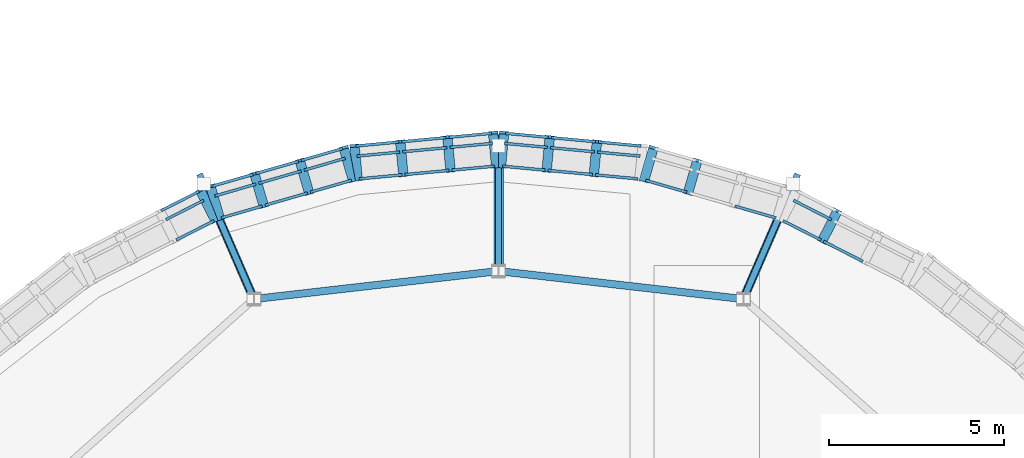
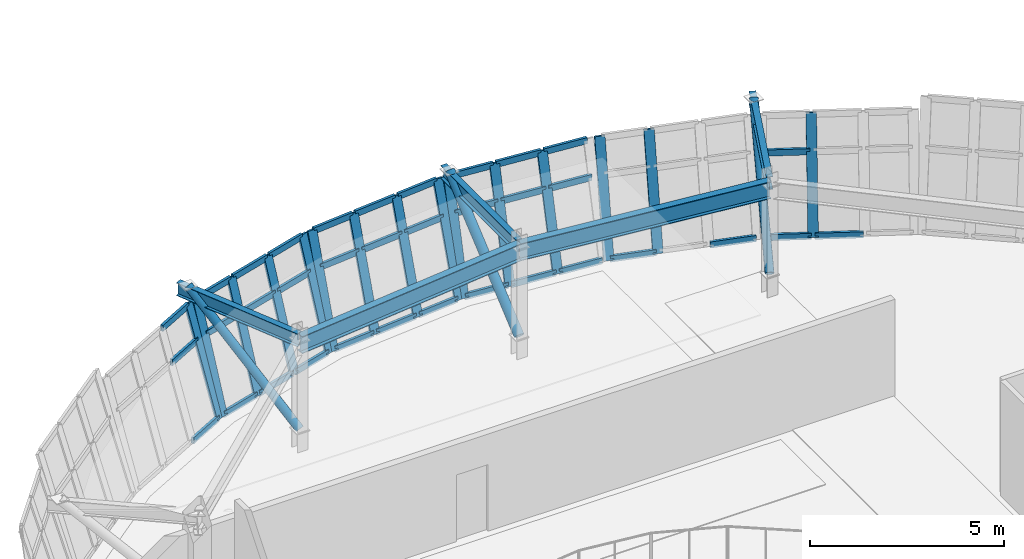
# One storey, part 25 of 111: 53 members, 5 beams, 6 elements without a shape of their own.
"""IFC4 building model written with IfcOpenShell, lengths in metres."""

from ifc_helpers import new_model, si_unit, direction, frame, origin, origin_2d, place, context, subcontext, project, spatial, rectangle, hollow_circle, i_section, extrude, material, material_profile, profile_set, type_object, element, aggregate, save


model = new_model("IFC4")

# Units and contexts
model_context = context("Model", 3, precision=1e-05, world=origin(), true_north=direction((0.0, 1.0)))
body_context = subcontext(model_context, "Body", "Model", "MODEL_VIEW")
ifc_project = project(units=[si_unit("LENGTHUNIT", "METRE"), si_unit("AREAUNIT", "SQUARE_METRE"), si_unit("VOLUMEUNIT", "CUBIC_METRE"), si_unit("PLANEANGLEUNIT", "RADIAN"), si_unit("MASSUNIT", "GRAM", prefix="KILO")], contexts=[model_context])

# Site, building, storey
site_placement = place(None, origin())
site = spatial("IfcSite", under=ifc_project, at=site_placement, CompositionType="ELEMENT")
building_placement = place(site_placement, origin())
building = spatial("IfcBuilding", under=site, at=building_placement, Name="Corveleigh Park Community Centre", CompositionType="ELEMENT")
storey_placement = place(building_placement, frame((0.0, 0.0, 4.800048828125)))
storey = spatial("IfcBuildingStorey", under=building, at=storey_placement, Name="L01", CompositionType="ELEMENT", Elevation=4.800048828125)

# Beams
ifc_material_1 = material(Name="Steel S355", Category="steel")
ifc_material_profile_1 = material_profile(ifc_material_1, i_section(OverallWidth=0.1787109375, OverallDepth=0.409423828125, WebThickness=0.0087890625, FlangeThickness=0.014404296875, at=origin_2d()), Name="UKB 406x178x67", Category="steel")
ifc_profile_set_1 = profile_set([ifc_material_profile_1], Name="Steel S355")
beam_type_1 = type_object("IfcBeamType", Name="BM-STL-UKB406x67", PredefinedType="BEAM", material=ifc_profile_set_1)
beam_1_placement = place(storey_placement, frame((38.00390625, 43.80908203125, 3.482177734375), z_axis=(0.398255557159, 0.917274501549, 0.0), x_axis=(-0.917274501549, 0.398255557159, 0.0)))
element("IfcBeam", 1, at=beam_1_placement, inside=storey, type_object=beam_type_1, Name="V1 Drum Overhang Radial Outrigger 11", PredefinedType="BEAM", context=body_context, shape_type="SweptSolid", body=[
    extrude(i_section(OverallWidth=0.1787109375, OverallDepth=0.409423828125, WebThickness=0.0087890625, FlangeThickness=0.014404296875, at=origin_2d()), origin(), (0.0, 0.0, 1.0), 3.8896484375),
])
beam_2_placement = place(storey_placement, frame((31.0, 44.610107421875, 3.482177734375), z_axis=(0.0, 1.0, 0.0), x_axis=(-1.0, 0.0, 0.0)))
element("IfcBeam", 2, at=beam_2_placement, inside=storey, type_object=beam_type_1, Name="V1 Drum Overhang Radial Outrigger 12", PredefinedType="BEAM", context=body_context, shape_type="SweptSolid", body=[
    extrude(i_section(OverallWidth=0.1787109375, OverallDepth=0.409423828125, WebThickness=0.0087890625, FlangeThickness=0.014404296875, at=origin_2d()), origin(), (0.0, 0.0, 1.0), 3.889892578125),
])
beam_3_placement = place(storey_placement, frame((23.99609375, 43.80908203125, 3.482177734375), z_axis=(-0.398255557159, 0.917274501549, 0.0), x_axis=(-0.917274501549, -0.398255557159, 0.0)))
element("IfcBeam", 3, at=beam_3_placement, inside=storey, type_object=beam_type_1, Name="V1 Drum Overhang Radial Outrigger 13", PredefinedType="BEAM", context=body_context, shape_type="SweptSolid", body=[
    extrude(i_section(OverallWidth=0.1787109375, OverallDepth=0.409423828125, WebThickness=0.0087890625, FlangeThickness=0.014404296875, at=origin_2d()), origin(), (0.0, 0.0, 1.0), 3.8896484375),
])
ifc_material_profile_2 = material_profile(ifc_material_1, i_section(OverallWidth=0.210693359375, OverallDepth=0.53955078125, WebThickness=0.01171875, FlangeThickness=0.018798828125, at=origin_2d()), Name="UKB 533x210x109", Category="steel")
ifc_profile_set_2 = profile_set([ifc_material_profile_2], Name="Steel S355")
beam_type_2 = type_object("IfcBeamType", Name="BM-STL-UKB533x109", PredefinedType="BEAM", material=ifc_profile_set_2)
for number, where, z_axis, x_axis, name in (
    (4, (37.9951171875, 43.800537109375, 3.34228515625), (-0.993533567391, 0.113538761962, 0.0), (-0.113538761962, -0.993533567391, 0.0), "V1 Drum Ring Girder"),
    (5, (30.9951171875, 44.599365234375, 3.34228515625), (-0.993533567391, -0.113538761962, 0.0), (0.113538761962, -0.993533567391, 0.0), "V1 Drum Ring Girder"),
):
    element("IfcBeam", number, at=place(storey_placement, frame(where, z_axis=z_axis, x_axis=x_axis)), inside=storey, type_object=beam_type_2, Name=name, PredefinedType="BEAM", context=body_context, shape_type="SweptSolid", body=[
        extrude(i_section(OverallWidth=0.210693359375, OverallDepth=0.53955078125, WebThickness=0.01171875, FlangeThickness=0.018798828125, at=origin_2d()), origin(), (0.0, 0.0, 1.0), 7.03564453125),
    ])

# Curtain wall, member
ifc_material_2 = material(Name="Anodised aluminium 6063-T6", Category="aluminium")
curtain_wall_type = type_object("IfcCurtainWallType", Name="CW-SYS-V1-DRUM", PredefinedType="NOTDEFINED", material=ifc_material_2)
curtain_wall_1_placement = place(storey_placement, origin())
curtain_wall_1 = element("IfcCurtainWall", 6, at=curtain_wall_1_placement, inside=storey, type_object=curtain_wall_type, Name="Main Hall Flared Drum CW 167", PredefinedType="NOTDEFINED")
ifc_material_profile_3 = material_profile(ifc_material_2, rectangle(XDim=0.0849609375, YDim=0.27490234375, at=origin_2d()), Name="ALU-M85x275", Category="aluminium")
ifc_profile_set_3 = profile_set([ifc_material_profile_3], Name="Anodised aluminium 6063-T6")
member_type_1 = type_object("IfcMemberType", Name="CWM-85x275", PredefinedType="MULLION", material=ifc_profile_set_3)
member_1_placement = place(storey_placement, frame((40.253662109375, 45.4580078125, 0.0), z_axis=(0.128879526709, 0.252956534902, 0.958855077186), x_axis=(-0.435288932885, -0.854357421664, 0.283896003766)))
member_1 = element("IfcMember", 7, at=member_1_placement, type_object=member_type_1, Name="CW02 mullion 3", PredefinedType="MULLION", context=body_context, shape_type="SweptSolid", body=[
    extrude(rectangle(XDim=0.0849609375, YDim=0.27490234375, at=origin_2d()), origin(), (0.0, 0.0, 1.0), 3.406005859375),
])

# Curtain wall, members
curtain_wall_2_placement = place(storey_placement, origin())
curtain_wall_2 = element("IfcCurtainWall", 8, at=curtain_wall_2_placement, inside=storey, type_object=curtain_wall_type, Name="Main Hall Flared Drum CW 168", PredefinedType="NOTDEFINED")
member_2_placement = place(storey_placement, frame((36.41796875, 46.834228515625, 0.0), z_axis=(0.078774265043, 0.272806963379, 0.958838347115), x_axis=(-0.266001479913, -0.921202577386, 0.283952503249)))
member_2 = element("IfcMember", 9, at=member_2_placement, type_object=member_type_1, Name="CW02 mullion 3", PredefinedType="MULLION", context=body_context, shape_type="SweptSolid", body=[
    extrude(rectangle(XDim=0.0849609375, YDim=0.27490234375, at=origin_2d()), origin(), (0.0, 0.0, 1.0), 3.406005859375),
])
member_3_placement = place(storey_placement, frame((35.161865234375, 47.197265625, 0.0), z_axis=(0.078775805261, 0.27274061785, 0.958857094608), x_axis=(-0.266071208259, -0.92120195398, 0.283889189861)))
member_3 = element("IfcMember", 10, at=member_3_placement, type_object=member_type_1, Name="CW02 mullion 4", PredefinedType="MULLION", context=body_context, shape_type="SweptSolid", body=[
    extrude(rectangle(XDim=0.0849609375, YDim=0.27490234375, at=origin_2d()), origin(), (0.0, 0.0, 1.0), 3.406005859375),
])

curtain_wall_3_placement = place(storey_placement, origin())
curtain_wall_3 = element("IfcCurtainWall", 11, at=curtain_wall_3_placement, inside=storey, type_object=curtain_wall_type, Name="Main Hall Flared Drum CW 169", PredefinedType="NOTDEFINED")
member_4_placement = place(storey_placement, frame((33.722900390625, 47.3447265625, 0.0), z_axis=(0.02659317018, 0.282633072825, 0.958859400249), x_axis=(-0.089823112769, -0.954642947838, 0.28388140227)))
member_4 = element("IfcMember", 12, at=member_4_placement, type_object=member_type_1, Name="CW02 mullion 2", PredefinedType="MULLION", context=body_context, shape_type="SweptSolid", body=[
    extrude(rectangle(XDim=0.0849609375, YDim=0.27490234375, at=origin_2d()), origin(), (0.0, 0.0, 1.0), 3.406005859375),
])
member_5_placement = place(storey_placement, frame((32.3740234375, 47.471435546875, 0.0), z_axis=(0.026521540963, 0.282633610853, 0.958861225559), x_axis=(-0.089583288595, -0.954667316025, 0.283875236889)))
member_5 = element("IfcMember", 13, at=member_5_placement, type_object=member_type_1, Name="CW02 mullion 3", PredefinedType="MULLION", context=body_context, shape_type="SweptSolid", body=[
    extrude(rectangle(XDim=0.0849609375, YDim=0.27490234375, at=origin_2d()), origin(), (0.0, 0.0, 1.0), 3.406005859375),
])
member_6_placement = place(storey_placement, frame((31.0673828125, 47.593994140625, 0.0), z_axis=(0.026521003607, 0.282699562777, 0.95884179799), x_axis=(-0.089558958365, -0.954650085921, 0.283940850226)))
member_6 = element("IfcMember", 14, at=member_6_placement, type_object=member_type_1, Name="CW02 mullion 4", PredefinedType="MULLION", context=body_context, shape_type="SweptSolid", body=[
    extrude(rectangle(XDim=0.0849609375, YDim=0.27490234375, at=origin_2d()), origin(), (0.0, 0.0, 1.0), 3.406005859375),
])

curtain_wall_4_placement = place(storey_placement, origin())
curtain_wall_4 = element("IfcCurtainWall", 15, at=curtain_wall_4_placement, inside=storey, type_object=curtain_wall_type, Name="Main Hall Flared Drum CW 170", PredefinedType="NOTDEFINED")
member_7_placement = place(storey_placement, frame((30.9326171875, 47.593994140625, 0.0), z_axis=(-0.026521003607, 0.282699562777, 0.95884179799), x_axis=(0.089558958365, -0.954650085921, 0.283940850226)))
member_7 = element("IfcMember", 16, at=member_7_placement, type_object=member_type_1, Name="CW02 mullion 1", PredefinedType="MULLION", context=body_context, shape_type="SweptSolid", body=[
    extrude(rectangle(XDim=0.0849609375, YDim=0.27490234375, at=origin_2d()), origin(), (0.0, 0.0, 1.0), 3.406005859375),
])
member_8_placement = place(storey_placement, frame((29.6259765625, 47.471435546875, 0.0), z_axis=(-0.026521540963, 0.282633610853, 0.958861225559), x_axis=(0.089583288595, -0.954667316025, 0.283875236889)))
member_8 = element("IfcMember", 17, at=member_8_placement, type_object=member_type_1, Name="CW02 mullion 2", PredefinedType="MULLION", context=body_context, shape_type="SweptSolid", body=[
    extrude(rectangle(XDim=0.0849609375, YDim=0.27490234375, at=origin_2d()), origin(), (0.0, 0.0, 1.0), 3.406005859375),
])
member_9_placement = place(storey_placement, frame((28.277099609375, 47.3447265625, 0.0), z_axis=(-0.02659317018, 0.282633072825, 0.958859400249), x_axis=(0.089823112769, -0.954642947838, 0.28388140227)))
member_9 = element("IfcMember", 18, at=member_9_placement, type_object=member_type_1, Name="CW02 mullion 3", PredefinedType="MULLION", context=body_context, shape_type="SweptSolid", body=[
    extrude(rectangle(XDim=0.0849609375, YDim=0.27490234375, at=origin_2d()), origin(), (0.0, 0.0, 1.0), 3.406005859375),
])
member_10_placement = place(storey_placement, frame((26.97021484375, 47.221923828125, 0.0), z_axis=(-0.026521003607, 0.282699562777, 0.95884179799), x_axis=(0.089558958365, -0.954650085921, 0.283940850226)))
member_10 = element("IfcMember", 19, at=member_10_placement, type_object=member_type_1, Name="CW02 mullion 4", PredefinedType="MULLION", context=body_context, shape_type="SweptSolid", body=[
    extrude(rectangle(XDim=0.0849609375, YDim=0.27490234375, at=origin_2d()), origin(), (0.0, 0.0, 1.0), 3.406005859375),
])

curtain_wall_5_placement = place(storey_placement, origin())
curtain_wall_5 = element("IfcCurtainWall", 20, at=curtain_wall_5_placement, inside=storey, type_object=curtain_wall_type, Name="Main Hall Flared Drum CW 171", PredefinedType="NOTDEFINED")
member_11_placement = place(storey_placement, frame((26.838134765625, 47.197265625, 0.0), z_axis=(-0.078775805261, 0.27274061785, 0.958857094608), x_axis=(0.266071208259, -0.92120195398, 0.283889189861)))
member_11 = element("IfcMember", 21, at=member_11_placement, type_object=member_type_1, Name="CW02 mullion 1", PredefinedType="MULLION", context=body_context, shape_type="SweptSolid", body=[
    extrude(rectangle(XDim=0.0849609375, YDim=0.27490234375, at=origin_2d()), origin(), (0.0, 0.0, 1.0), 3.406005859375),
])
member_12_placement = place(storey_placement, frame((25.58203125, 46.834228515625, 0.0), z_axis=(-0.078774265043, 0.272806963379, 0.958838347115), x_axis=(0.266001479913, -0.921202577386, 0.283952503249)))
member_12 = element("IfcMember", 22, at=member_12_placement, type_object=member_type_1, Name="CW02 mullion 2", PredefinedType="MULLION", context=body_context, shape_type="SweptSolid", body=[
    extrude(rectangle(XDim=0.0849609375, YDim=0.27490234375, at=origin_2d()), origin(), (0.0, 0.0, 1.0), 3.406005859375),
])
member_13_placement = place(storey_placement, frame((24.284912109375, 46.459716796875, 0.0), z_axis=(-0.078775805261, 0.27274061785, 0.958857094608), x_axis=(0.266071208259, -0.92120195398, 0.283889189861)))
member_13 = element("IfcMember", 23, at=member_13_placement, type_object=member_type_1, Name="CW02 mullion 3", PredefinedType="MULLION", context=body_context, shape_type="SweptSolid", body=[
    extrude(rectangle(XDim=0.0849609375, YDim=0.27490234375, at=origin_2d()), origin(), (0.0, 0.0, 1.0), 3.406005859375),
])
member_14_placement = place(storey_placement, frame((23.02880859375, 46.0966796875, 0.0), z_axis=(-0.078774265043, 0.272806963379, 0.958838347115), x_axis=(0.266001479913, -0.921202577386, 0.283952503249)))
member_14 = element("IfcMember", 24, at=member_14_placement, type_object=member_type_1, Name="CW02 mullion 4", PredefinedType="MULLION", context=body_context, shape_type="SweptSolid", body=[
    extrude(rectangle(XDim=0.0849609375, YDim=0.27490234375, at=origin_2d()), origin(), (0.0, 0.0, 1.0), 3.406005859375),
])

# Curtain wall, member
curtain_wall_6_placement = place(storey_placement, origin())
curtain_wall_6 = element("IfcCurtainWall", 25, at=curtain_wall_6_placement, inside=storey, type_object=curtain_wall_type, Name="Main Hall Flared Drum CW 172", PredefinedType="NOTDEFINED")
member_15_placement = place(storey_placement, frame((22.904052734375, 46.047607421875, 0.0), z_axis=(-0.128806701095, 0.25302596264, 0.958846544544), x_axis=(0.434994939137, -0.854497571037, 0.283924821065)))
member_15 = element("IfcMember", 26, at=member_15_placement, type_object=member_type_1, Name="CW02 mullion 1", PredefinedType="MULLION", context=body_context, shape_type="SweptSolid", body=[
    extrude(rectangle(XDim=0.0849609375, YDim=0.27490234375, at=origin_2d()), origin(), (0.0, 0.0, 1.0), 3.406005859375),
])

# Member
ifc_material_profile_4 = material_profile(ifc_material_2, rectangle(XDim=0.080078125, YDim=0.195068359375, at=origin_2d()), Name="ALU-T80x195", Category="aluminium")
ifc_profile_set_4 = profile_set([ifc_material_profile_4], Name="Anodised aluminium 6063-T6")
member_type_2 = type_object("IfcMemberType", Name="CWT-80x195", PredefinedType="USERDEFINED", material=ifc_profile_set_4)
member_16_placement = place(storey_placement, frame((41.416748046875, 44.87890625, 0.0400390625), z_axis=(-0.89110027264, 0.453806461061, 0.0), x_axis=(-0.453806461061, -0.89110027264, 0.0)))
member_16 = element("IfcMember", 27, at=member_16_placement, type_object=member_type_2, Name="CW02 transom 2.1", ObjectType="TRANSOM", PredefinedType="USERDEFINED", context=body_context, shape_type="SweptSolid", body=[
    extrude(rectangle(XDim=0.080078125, YDim=0.195068359375, at=origin_2d()), origin(), (0.0, 0.0, 1.0), 1.2568359375),
])

member_17_placement = place(storey_placement, frame((40.22119140625, 45.48779296875, 0.0400390625), z_axis=(-0.891024153867, 0.453955897886, 0.0), x_axis=(-0.453955897886, -0.891024153867, 0.0)))
member_17 = element("IfcMember", 28, at=member_17_placement, type_object=member_type_2, Name="CW02 transom 3.1", ObjectType="TRANSOM", PredefinedType="USERDEFINED", context=body_context, shape_type="SweptSolid", body=[
    extrude(rectangle(XDim=0.080078125, YDim=0.195068359375, at=origin_2d()), origin(), (0.0, 0.0, 1.0), 1.21435546875),
])

member_18_placement = place(storey_placement, frame((40.51806640625, 46.07080078125, 2.25), z_axis=(-0.891024153867, 0.453955897886, 0.0), x_axis=(-0.453955897886, -0.891024153867, 0.0)))
member_18 = element("IfcMember", 29, at=member_18_placement, type_object=member_type_2, Name="CW02 transom 3.2", ObjectType="TRANSOM", PredefinedType="USERDEFINED", context=body_context, shape_type="SweptSolid", body=[
    extrude(rectangle(XDim=0.080078125, YDim=0.195068359375, at=origin_2d()), origin(), (0.0, 0.0, 1.0), 1.21435546875),
])

aggregate(curtain_wall_1, [member_1, member_16, member_17, member_18])

member_19_placement = place(storey_placement, frame((38.93359375, 46.119873046875, 0.0400390625), z_axis=(-0.960705899943, 0.277568322786, 0.0), x_axis=(-0.277568322786, -0.960705899943, 0.0)))
member_19 = element("IfcMember", 30, at=member_19_placement, type_object=member_type_2, Name="CW02 transom 1.1", ObjectType="TRANSOM", PredefinedType="USERDEFINED", context=body_context, shape_type="SweptSolid", body=[
    extrude(rectangle(XDim=0.080078125, YDim=0.195068359375, at=origin_2d()), origin(), (0.0, 0.0, 1.0), 1.22265625),
])

member_20_placement = place(storey_placement, frame((36.38037109375, 46.857421875, 0.0400390625), z_axis=(-0.960690510607, 0.277621582067, 0.0), x_axis=(-0.277621582067, -0.960690510607, 0.0)))
member_20 = element("IfcMember", 31, at=member_20_placement, type_object=member_type_2, Name="CW02 transom 3.1", ObjectType="TRANSOM", PredefinedType="USERDEFINED", context=body_context, shape_type="SweptSolid", body=[
    extrude(rectangle(XDim=0.080078125, YDim=0.195068359375, at=origin_2d()), origin(), (0.0, 0.0, 1.0), 1.222412109375),
])

aggregate(curtain_wall_2, [member_2, member_3, member_19, member_20])

member_21_placement = place(storey_placement, frame((34.988525390625, 47.23779296875, 0.0400390625), z_axis=(-0.995621509716, 0.093476250413, 0.0), x_axis=(-0.093476250413, -0.995621509716, 0.0)))
member_21 = element("IfcMember", 32, at=member_21_placement, type_object=member_type_2, Name="CW02 transom 1.1", ObjectType="TRANSOM", PredefinedType="USERDEFINED", context=body_context, shape_type="SweptSolid", body=[
    extrude(rectangle(XDim=0.080078125, YDim=0.195068359375, at=origin_2d()), origin(), (0.0, 0.0, 1.0), 1.2275390625),
])

member_22_placement = place(storey_placement, frame((35.049560546875, 47.88916015625, 2.25), z_axis=(-0.995619771375, 0.093494763745, 0.0), x_axis=(-0.093494763745, -0.995619771375, 0.0)))
member_22 = element("IfcMember", 33, at=member_22_placement, type_object=member_type_2, Name="CW02 transom 1.2", ObjectType="TRANSOM", PredefinedType="USERDEFINED", context=body_context, shape_type="SweptSolid", body=[
    extrude(rectangle(XDim=0.080078125, YDim=0.195068359375, at=origin_2d()), origin(), (0.0, 0.0, 1.0), 1.227294921875),
])

member_23_placement = place(storey_placement, frame((35.07666015625, 48.177001953125, 3.225830078125), z_axis=(-0.995621509716, 0.093476250413, 0.0), x_axis=(-0.093476250413, -0.995621509716, 0.0)))
member_23 = element("IfcMember", 34, at=member_23_placement, type_object=member_type_2, Name="CW02 transom 1.3", ObjectType="TRANSOM", PredefinedType="USERDEFINED", context=body_context, shape_type="SweptSolid", body=[
    extrude(rectangle(XDim=0.080078125, YDim=0.195068359375, at=origin_2d()), origin(), (0.0, 0.0, 1.0), 1.2275390625),
])

member_24_placement = place(storey_placement, frame((33.681884765625, 47.3603515625, 0.0400390625), z_axis=(-0.995607946875, 0.093620596665, 0.0), x_axis=(-0.093620596665, -0.995607946875, 0.0)))
member_24 = element("IfcMember", 35, at=member_24_placement, type_object=member_type_2, Name="CW02 transom 2.1", ObjectType="TRANSOM", PredefinedType="USERDEFINED", context=body_context, shape_type="SweptSolid", body=[
    extrude(rectangle(XDim=0.080078125, YDim=0.195068359375, at=origin_2d()), origin(), (0.0, 0.0, 1.0), 1.27001953125),
])

member_25_placement = place(storey_placement, frame((33.742919921875, 48.011962890625, 2.25), z_axis=(-0.995625847483, 0.093430037049, 0.0), x_axis=(-0.093430037049, -0.995625847483, 0.0)))
member_25 = element("IfcMember", 36, at=member_25_placement, type_object=member_type_2, Name="CW02 transom 2.2", ObjectType="TRANSOM", PredefinedType="USERDEFINED", context=body_context, shape_type="SweptSolid", body=[
    extrude(rectangle(XDim=0.080078125, YDim=0.195068359375, at=origin_2d()), origin(), (0.0, 0.0, 1.0), 1.27001953125),
])

member_26_placement = place(storey_placement, frame((33.77001953125, 48.299560546875, 3.225830078125), z_axis=(-0.995625847483, 0.093430037049, 0.0), x_axis=(-0.093430037049, -0.995625847483, 0.0)))
member_26 = element("IfcMember", 37, at=member_26_placement, type_object=member_type_2, Name="CW02 transom 2.3", ObjectType="TRANSOM", PredefinedType="USERDEFINED", context=body_context, shape_type="SweptSolid", body=[
    extrude(rectangle(XDim=0.080078125, YDim=0.195068359375, at=origin_2d()), origin(), (0.0, 0.0, 1.0), 1.27001953125),
])

member_27_placement = place(storey_placement, frame((32.332763671875, 47.487060546875, 0.0400390625), z_axis=(-0.995619771375, 0.093494763745, 0.0), x_axis=(-0.093494763745, -0.995619771375, 0.0)))
member_27 = element("IfcMember", 38, at=member_27_placement, type_object=member_type_2, Name="CW02 transom 3.1", ObjectType="TRANSOM", PredefinedType="USERDEFINED", context=body_context, shape_type="SweptSolid", body=[
    extrude(rectangle(XDim=0.080078125, YDim=0.195068359375, at=origin_2d()), origin(), (0.0, 0.0, 1.0), 1.227294921875),
])

member_28_placement = place(storey_placement, frame((32.39404296875, 48.138671875, 2.25), z_axis=(-0.995621509716, 0.093476250413, 0.0), x_axis=(-0.093476250413, -0.995621509716, 0.0)))
member_28 = element("IfcMember", 39, at=member_28_placement, type_object=member_type_2, Name="CW02 transom 3.2", ObjectType="TRANSOM", PredefinedType="USERDEFINED", context=body_context, shape_type="SweptSolid", body=[
    extrude(rectangle(XDim=0.080078125, YDim=0.195068359375, at=origin_2d()), origin(), (0.0, 0.0, 1.0), 1.2275390625),
])

member_29_placement = place(storey_placement, frame((32.4208984375, 48.42626953125, 3.225830078125), z_axis=(-0.995619771375, 0.093494763745, 0.0), x_axis=(-0.093494763745, -0.995619771375, 0.0)))
member_29 = element("IfcMember", 40, at=member_29_placement, type_object=member_type_2, Name="CW02 transom 3.3", ObjectType="TRANSOM", PredefinedType="USERDEFINED", context=body_context, shape_type="SweptSolid", body=[
    extrude(rectangle(XDim=0.080078125, YDim=0.195068359375, at=origin_2d()), origin(), (0.0, 0.0, 1.0), 1.227294921875),
])

aggregate(curtain_wall_3, [member_4, member_5, member_6, member_21, member_22, member_23, member_24, member_25, member_26, member_27, member_28, member_29])

member_30_placement = place(storey_placement, frame((30.88916015625, 47.601806640625, 0.0400390625), z_axis=(-0.995619771375, -0.093494763745, 0.0), x_axis=(0.093494763745, -0.995619771375, 0.0)))
member_30 = element("IfcMember", 41, at=member_30_placement, type_object=member_type_2, Name="CW02 transom 1.1", ObjectType="TRANSOM", PredefinedType="USERDEFINED", context=body_context, shape_type="SweptSolid", body=[
    extrude(rectangle(XDim=0.080078125, YDim=0.195068359375, at=origin_2d()), origin(), (0.0, 0.0, 1.0), 1.227294921875),
])

member_31_placement = place(storey_placement, frame((30.828125, 48.25341796875, 2.25), z_axis=(-0.995621509716, -0.093476250413, 0.0), x_axis=(0.093476250413, -0.995621509716, 0.0)))
member_31 = element("IfcMember", 42, at=member_31_placement, type_object=member_type_2, Name="CW02 transom 1.2", ObjectType="TRANSOM", PredefinedType="USERDEFINED", context=body_context, shape_type="SweptSolid", body=[
    extrude(rectangle(XDim=0.080078125, YDim=0.195068359375, at=origin_2d()), origin(), (0.0, 0.0, 1.0), 1.2275390625),
])

member_32_placement = place(storey_placement, frame((30.801025390625, 48.541015625, 3.225830078125), z_axis=(-0.995619771375, -0.093494763745, 0.0), x_axis=(0.093494763745, -0.995619771375, 0.0)))
member_32 = element("IfcMember", 43, at=member_32_placement, type_object=member_type_2, Name="CW02 transom 1.3", ObjectType="TRANSOM", PredefinedType="USERDEFINED", context=body_context, shape_type="SweptSolid", body=[
    extrude(rectangle(XDim=0.080078125, YDim=0.195068359375, at=origin_2d()), origin(), (0.0, 0.0, 1.0), 1.227294921875),
])

member_33_placement = place(storey_placement, frame((29.58251953125, 47.479248046875, 0.0400390625), z_axis=(-0.995607946875, -0.093620596665, 0.0), x_axis=(0.093620596665, -0.995607946875, 0.0)))
member_33 = element("IfcMember", 44, at=member_33_placement, type_object=member_type_2, Name="CW02 transom 2.1", ObjectType="TRANSOM", PredefinedType="USERDEFINED", context=body_context, shape_type="SweptSolid", body=[
    extrude(rectangle(XDim=0.080078125, YDim=0.195068359375, at=origin_2d()), origin(), (0.0, 0.0, 1.0), 1.27001953125),
])

member_34_placement = place(storey_placement, frame((29.521484375, 48.130615234375, 2.25), z_axis=(-0.995625847483, -0.093430037049, 0.0), x_axis=(0.093430037049, -0.995625847483, 0.0)))
member_34 = element("IfcMember", 45, at=member_34_placement, type_object=member_type_2, Name="CW02 transom 2.2", ObjectType="TRANSOM", PredefinedType="USERDEFINED", context=body_context, shape_type="SweptSolid", body=[
    extrude(rectangle(XDim=0.080078125, YDim=0.195068359375, at=origin_2d()), origin(), (0.0, 0.0, 1.0), 1.27001953125),
])

member_35_placement = place(storey_placement, frame((29.494384765625, 48.418212890625, 3.225830078125), z_axis=(-0.995625847483, -0.093430037049, 0.0), x_axis=(0.093430037049, -0.995625847483, 0.0)))
member_35 = element("IfcMember", 46, at=member_35_placement, type_object=member_type_2, Name="CW02 transom 2.3", ObjectType="TRANSOM", PredefinedType="USERDEFINED", context=body_context, shape_type="SweptSolid", body=[
    extrude(rectangle(XDim=0.080078125, YDim=0.195068359375, at=origin_2d()), origin(), (0.0, 0.0, 1.0), 1.27001953125),
])

member_36_placement = place(storey_placement, frame((28.233642578125, 47.3525390625, 0.0400390625), z_axis=(-0.995621509716, -0.093476250413, 0.0), x_axis=(0.093476250413, -0.995621509716, 0.0)))
member_36 = element("IfcMember", 47, at=member_36_placement, type_object=member_type_2, Name="CW02 transom 3.1", ObjectType="TRANSOM", PredefinedType="USERDEFINED", context=body_context, shape_type="SweptSolid", body=[
    extrude(rectangle(XDim=0.080078125, YDim=0.195068359375, at=origin_2d()), origin(), (0.0, 0.0, 1.0), 1.2275390625),
])

member_37_placement = place(storey_placement, frame((28.17236328125, 48.00390625, 2.25), z_axis=(-0.995619771375, -0.093494763745, 0.0), x_axis=(0.093494763745, -0.995619771375, 0.0)))
member_37 = element("IfcMember", 48, at=member_37_placement, type_object=member_type_2, Name="CW02 transom 3.2", ObjectType="TRANSOM", PredefinedType="USERDEFINED", context=body_context, shape_type="SweptSolid", body=[
    extrude(rectangle(XDim=0.080078125, YDim=0.195068359375, at=origin_2d()), origin(), (0.0, 0.0, 1.0), 1.227294921875),
])

member_38_placement = place(storey_placement, frame((28.1455078125, 48.291748046875, 3.225830078125), z_axis=(-0.995621509716, -0.093476250413, 0.0), x_axis=(0.093476250413, -0.995621509716, 0.0)))
member_38 = element("IfcMember", 49, at=member_38_placement, type_object=member_type_2, Name="CW02 transom 3.3", ObjectType="TRANSOM", PredefinedType="USERDEFINED", context=body_context, shape_type="SweptSolid", body=[
    extrude(rectangle(XDim=0.080078125, YDim=0.195068359375, at=origin_2d()), origin(), (0.0, 0.0, 1.0), 1.2275390625),
])

aggregate(curtain_wall_4, [member_7, member_8, member_9, member_10, member_30, member_31, member_32, member_33, member_34, member_35, member_36, member_37, member_38])

member_39_placement = place(storey_placement, frame((26.7939453125, 47.19677734375, 0.0400390625), z_axis=(-0.960690510607, -0.277621582067, 0.0), x_axis=(0.277621582067, -0.960690510607, 0.0)))
member_39 = element("IfcMember", 50, at=member_39_placement, type_object=member_type_2, Name="CW02 transom 1.1", ObjectType="TRANSOM", PredefinedType="USERDEFINED", context=body_context, shape_type="SweptSolid", body=[
    extrude(rectangle(XDim=0.080078125, YDim=0.195068359375, at=origin_2d()), origin(), (0.0, 0.0, 1.0), 1.222412109375),
])

member_40_placement = place(storey_placement, frame((26.612548828125, 47.825439453125, 2.25), z_axis=(-0.960705899943, -0.277568322786, 0.0), x_axis=(0.277568322786, -0.960705899943, 0.0)))
member_40 = element("IfcMember", 51, at=member_40_placement, type_object=member_type_2, Name="CW02 transom 1.2", ObjectType="TRANSOM", PredefinedType="USERDEFINED", context=body_context, shape_type="SweptSolid", body=[
    extrude(rectangle(XDim=0.080078125, YDim=0.195068359375, at=origin_2d()), origin(), (0.0, 0.0, 1.0), 1.22265625),
])

member_41_placement = place(storey_placement, frame((26.5322265625, 48.10302734375, 3.225830078125), z_axis=(-0.960705899943, -0.277568322786, 0.0), x_axis=(0.277568322786, -0.960705899943, 0.0)))
member_41 = element("IfcMember", 52, at=member_41_placement, type_object=member_type_2, Name="CW02 transom 1.3", ObjectType="TRANSOM", PredefinedType="USERDEFINED", context=body_context, shape_type="SweptSolid", body=[
    extrude(rectangle(XDim=0.080078125, YDim=0.195068359375, at=origin_2d()), origin(), (0.0, 0.0, 1.0), 1.22265625),
])

member_42_placement = place(storey_placement, frame((25.537841796875, 46.833984375, 0.0400390625), z_axis=(-0.960718756836, -0.277523819271, 0.0), x_axis=(0.277523819271, -0.960718756836, 0.0)))
member_42 = element("IfcMember", 53, at=member_42_placement, type_object=member_type_2, Name="CW02 transom 2.1", ObjectType="TRANSOM", PredefinedType="USERDEFINED", context=body_context, shape_type="SweptSolid", body=[
    extrude(rectangle(XDim=0.080078125, YDim=0.195068359375, at=origin_2d()), origin(), (0.0, 0.0, 1.0), 1.26513671875),
])

member_43_placement = place(storey_placement, frame((25.356201171875, 47.462646484375, 2.25), z_axis=(-0.960718756836, -0.277523819271, 0.0), x_axis=(0.277523819271, -0.960718756836, 0.0)))
member_43 = element("IfcMember", 54, at=member_43_placement, type_object=member_type_2, Name="CW02 transom 2.2", ObjectType="TRANSOM", PredefinedType="USERDEFINED", context=body_context, shape_type="SweptSolid", body=[
    extrude(rectangle(XDim=0.080078125, YDim=0.195068359375, at=origin_2d()), origin(), (0.0, 0.0, 1.0), 1.26513671875),
])

member_44_placement = place(storey_placement, frame((25.276123046875, 47.740234375, 3.225830078125), z_axis=(-0.960718756836, -0.277523819271, 0.0), x_axis=(0.277523819271, -0.960718756836, 0.0)))
member_44 = element("IfcMember", 55, at=member_44_placement, type_object=member_type_2, Name="CW02 transom 2.3", ObjectType="TRANSOM", PredefinedType="USERDEFINED", context=body_context, shape_type="SweptSolid", body=[
    extrude(rectangle(XDim=0.080078125, YDim=0.195068359375, at=origin_2d()), origin(), (0.0, 0.0, 1.0), 1.26513671875),
])

member_45_placement = place(storey_placement, frame((24.240966796875, 46.459228515625, 0.0400390625), z_axis=(-0.960705899943, -0.277568322786, 0.0), x_axis=(0.277568322786, -0.960705899943, 0.0)))
member_45 = element("IfcMember", 56, at=member_45_placement, type_object=member_type_2, Name="CW02 transom 3.1", ObjectType="TRANSOM", PredefinedType="USERDEFINED", context=body_context, shape_type="SweptSolid", body=[
    extrude(rectangle(XDim=0.080078125, YDim=0.195068359375, at=origin_2d()), origin(), (0.0, 0.0, 1.0), 1.22265625),
])

member_46_placement = place(storey_placement, frame((24.059326171875, 47.087890625, 2.25), z_axis=(-0.960705899943, -0.277568322786, 0.0), x_axis=(0.277568322786, -0.960705899943, 0.0)))
member_46 = element("IfcMember", 57, at=member_46_placement, type_object=member_type_2, Name="CW02 transom 3.2", ObjectType="TRANSOM", PredefinedType="USERDEFINED", context=body_context, shape_type="SweptSolid", body=[
    extrude(rectangle(XDim=0.080078125, YDim=0.195068359375, at=origin_2d()), origin(), (0.0, 0.0, 1.0), 1.22265625),
])

member_47_placement = place(storey_placement, frame((23.97900390625, 47.365478515625, 3.225830078125), z_axis=(-0.960690510607, -0.277621582067, 0.0), x_axis=(0.277621582067, -0.960690510607, 0.0)))
member_47 = element("IfcMember", 58, at=member_47_placement, type_object=member_type_2, Name="CW02 transom 3.3", ObjectType="TRANSOM", PredefinedType="USERDEFINED", context=body_context, shape_type="SweptSolid", body=[
    extrude(rectangle(XDim=0.080078125, YDim=0.195068359375, at=origin_2d()), origin(), (0.0, 0.0, 1.0), 1.222412109375),
])

aggregate(curtain_wall_5, [member_11, member_12, member_13, member_14, member_39, member_40, member_41, member_42, member_43, member_44, member_45, member_46, member_47])

member_48_placement = place(storey_placement, frame((22.86083984375, 46.0390625, 0.0400390625), z_axis=(-0.891024153867, -0.453955897886, 0.0), x_axis=(0.453955897886, -0.891024153867, 0.0)))
member_48 = element("IfcMember", 59, at=member_48_placement, type_object=member_type_2, Name="CW02 transom 1.1", ObjectType="TRANSOM", PredefinedType="USERDEFINED", context=body_context, shape_type="SweptSolid", body=[
    extrude(rectangle(XDim=0.080078125, YDim=0.195068359375, at=origin_2d()), origin(), (0.0, 0.0, 1.0), 1.21435546875),
])

member_49_placement = place(storey_placement, frame((22.56396484375, 46.6220703125, 2.25), z_axis=(-0.891024153867, -0.453955897886, 0.0), x_axis=(0.453955897886, -0.891024153867, 0.0)))
member_49 = element("IfcMember", 60, at=member_49_placement, type_object=member_type_2, Name="CW02 transom 1.2", ObjectType="TRANSOM", PredefinedType="USERDEFINED", context=body_context, shape_type="SweptSolid", body=[
    extrude(rectangle(XDim=0.080078125, YDim=0.195068359375, at=origin_2d()), origin(), (0.0, 0.0, 1.0), 1.21435546875),
])

member_50_placement = place(storey_placement, frame((22.432861328125, 46.879638671875, 3.225830078125), z_axis=(-0.891065572939, -0.453874591405, 0.0), x_axis=(0.453874591405, -0.891065572939, 0.0)))
member_50 = element("IfcMember", 61, at=member_50_placement, type_object=member_type_2, Name="CW02 transom 1.3", ObjectType="TRANSOM", PredefinedType="USERDEFINED", context=body_context, shape_type="SweptSolid", body=[
    extrude(rectangle(XDim=0.080078125, YDim=0.195068359375, at=origin_2d()), origin(), (0.0, 0.0, 1.0), 1.214599609375),
])

aggregate(curtain_wall_6, [member_15, member_48, member_49, member_50])

# Members
ifc_material_profile_5 = material_profile(ifc_material_1, hollow_circle(Radius=0.122314453125, WallThickness=0.012451171875, at=origin_2d()), Name="CHS 244.5x12.5", Category="steel")
ifc_profile_set_5 = profile_set([ifc_material_profile_5], Name="Steel S355")
member_type_3 = type_object("IfcMemberType", Name="MEM-STR-CHS245", PredefinedType="STRUT", material=ifc_profile_set_5)
for number, where, z_axis, x_axis, name in (
    (62, (38.0, 43.800048828125, 0.64990234375), (0.304282598437, 0.700790949416, 0.645216355578), (-0.917265754926, 0.398275702046, 0.0), "V1 Conical Overhang Raking Strut 11"),
    (63, (24.0, 43.800048828125, 0.64990234375), (-0.304282598437, 0.700790949416, 0.645216355578), (-0.917265754926, -0.398275702046, 0.0), "V1 Conical Overhang Raking Strut 13"),
):
    element("IfcMember", number, at=place(storey_placement, frame(where, z_axis=z_axis, x_axis=x_axis)), inside=storey, type_object=member_type_3, Name=name, PredefinedType="STRUT", context=body_context, shape_type="SweptSolid", body=[
        extrude(hollow_circle(Radius=0.122314453125, WallThickness=0.012451171875, at=origin_2d()), origin(), (0.0, 0.0, 1.0), 4.696044921875),
    ])
ifc_material_profile_6 = material_profile(ifc_material_1, hollow_circle(Radius=0.136474609375, WallThickness=0.012451171875, at=origin_2d()), Name="CHS 273.0x12.5", Category="steel")
ifc_profile_set_6 = profile_set([ifc_material_profile_6], Name="Steel S355")
member_type_4 = type_object("IfcMemberType", Name="MEM-STR-CHS273E", PredefinedType="STRUT", material=ifc_profile_set_6)
member_51_placement = place(storey_placement, frame((31.0, 44.60009765625, 0.64990234375), z_axis=(0.0, 0.764003149825, 0.645212513097), x_axis=(-1.0, 0.0, 0.0)))
element("IfcMember", 64, at=member_51_placement, inside=storey, type_object=member_type_4, Name="V1 Conical Overhang Raking Strut 12", PredefinedType="STRUT", context=body_context, shape_type="SweptSolid", body=[
    extrude(hollow_circle(Radius=0.136474609375, WallThickness=0.012451171875, at=origin_2d()), origin(), (0.0, 0.0, 1.0), 4.6962890625),
])

save(model, "model.ifc")
